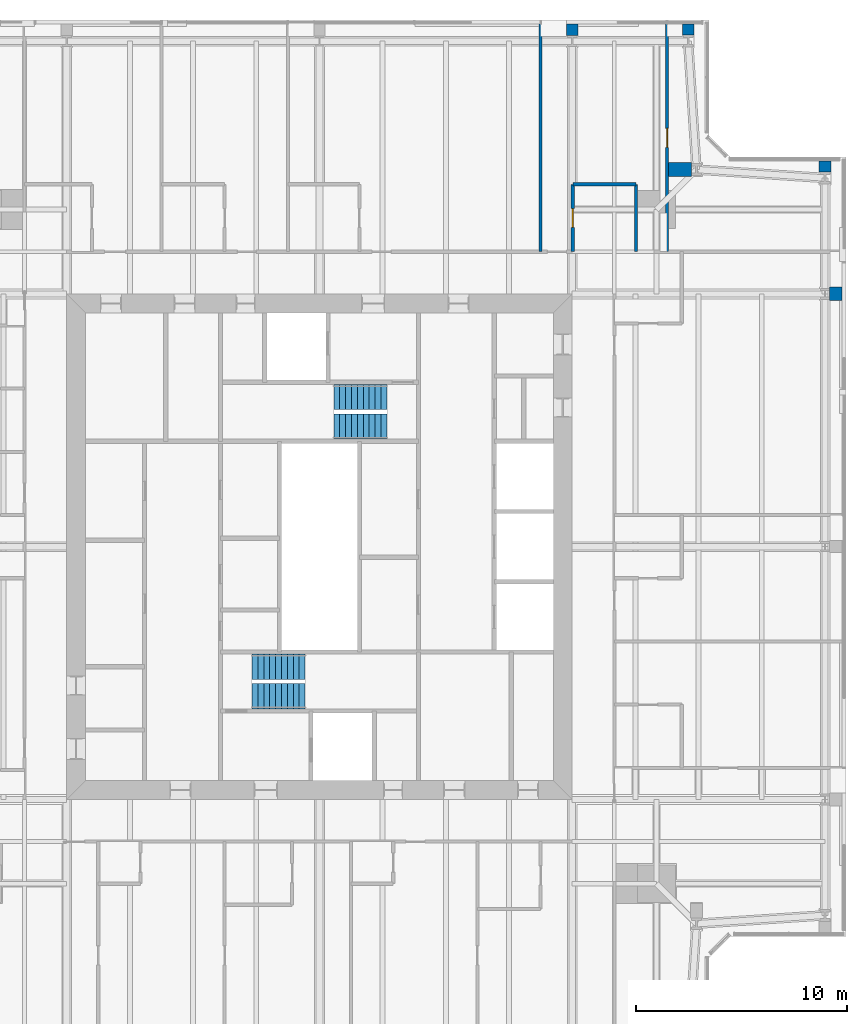
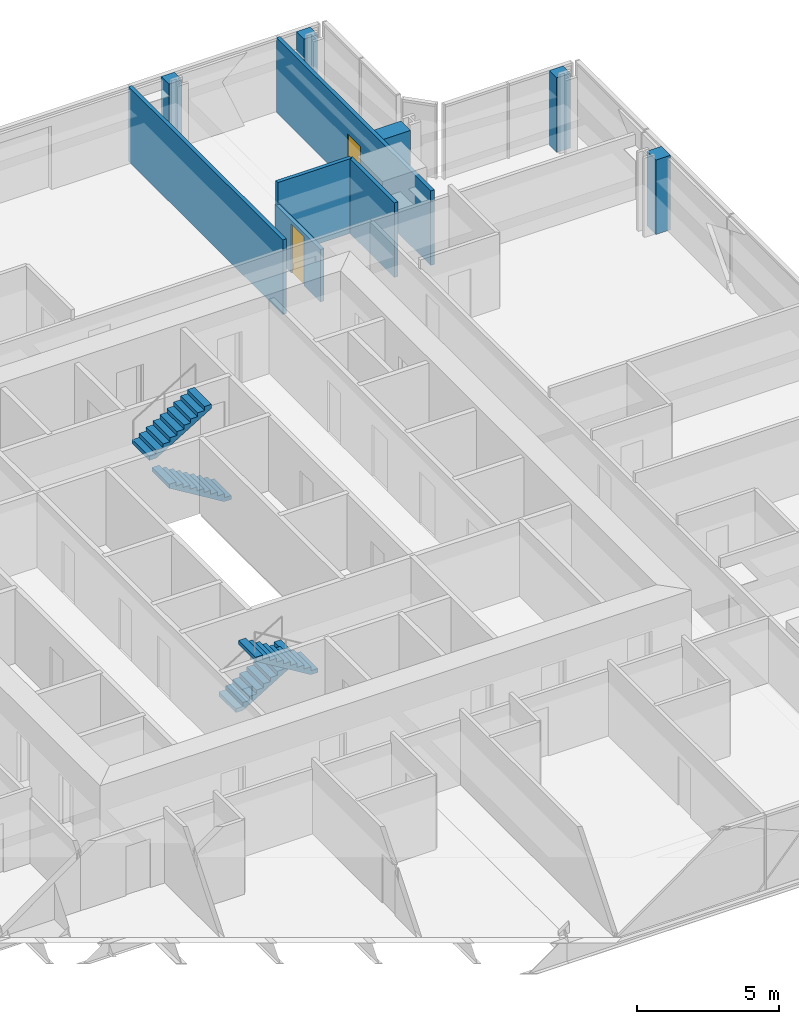
# One storey, part 15 of 18: 10 walls, 4 stair flights, 2 doors, 2 openings, 2 elements without a shape of their own.
"""IFC4 building model written with IfcOpenShell, lengths in metres."""

from ifc_helpers import new_model, si_unit, direction, frame, frame_2d, origin, place, context, subcontext, project, spatial, polyline, rectangle, outline, extrude, material, layer, layer_set, type_object, element, fill, aggregate, save


model = new_model("IFC4")

# Units and contexts
model_context = context("Model", 3, precision=1e-05, world=origin(), true_north=direction((0.0, 1.0)))
body_context = subcontext(model_context, "Body", "Model", "MODEL_VIEW")
ifc_project = project(units=[si_unit("LENGTHUNIT", "METRE"), si_unit("AREAUNIT", "SQUARE_METRE"), si_unit("VOLUMEUNIT", "CUBIC_METRE"), si_unit("PLANEANGLEUNIT", "RADIAN"), si_unit("MASSUNIT", "GRAM", prefix="KILO")], contexts=[model_context])

# Site, building, storey
site_placement = place(None, origin())
site = spatial("IfcSite", under=ifc_project, at=site_placement, CompositionType="ELEMENT")
building_placement = place(site_placement, origin())
building = spatial("IfcBuilding", under=site, at=building_placement, Name="Fenwick Lantern Interchange", CompositionType="ELEMENT")
storey_placement = place(building_placement, frame((0.0, 0.0, 293.39990234375)))
storey = spatial("IfcBuildingStorey", under=building, at=storey_placement, Name="L71", CompositionType="ELEMENT", Elevation=293.39990234375)

# Walls
ifc_material_1 = material(Name="Fire-rated gypsum board encasement on steel studs, 2 hour", Category="steel")
ifc_layer_1 = layer(ifc_material_1, 0.5419921875)
ifc_layer_set_1 = layer_set([ifc_layer_1], Name="COLUMN PIER 542")
wall_type_1 = type_object("IfcWallType", Name="COLUMN PIER 542", PredefinedType="PARTITIONING", material=ifc_layer_set_1)
wall_1_placement = place(storey_placement, frame((37.0, 49.81005859375, 0.0), z_axis=(0.0, 0.0, 1.0), x_axis=(0.0, -1.0, 0.0)))
element("IfcWall", 1, at=wall_1_placement, inside=storey, type_object=wall_type_1, Name="L71/W/PIER/CN2", PredefinedType="PARTITIONING", context=body_context, shape_type="SweptSolid", body=[
    extrude(rectangle(XDim=0.544677734375, YDim=0.5419921875, at=frame_2d((0.2724609375, 0.0))), origin(), (0.0, 0.0, 1.0), 3.2001953125),
])
ifc_layer_2 = layer(ifc_material_1, 0.554931640625)
ifc_layer_set_2 = layer_set([ifc_layer_2], Name="COLUMN PIER 555")
wall_type_2 = type_object("IfcWallType", Name="COLUMN PIER 555", PredefinedType="PARTITIONING", material=ifc_layer_set_2)
for number, where, z_axis, x_axis, name in (
    (2, (49.0, 43.31005859375, 0.0), (0.0, 0.0, 1.0), (0.0, -1.0, 0.0), "L71/W/PIER/CE5"),
    (3, (42.5, 49.81005859375, 0.0), (0.0, 0.0, 1.0), (0.0, -1.0, 0.0), "L71/W/PIER/CN1"),
):
    element("IfcWall", number, at=place(storey_placement, frame(where, z_axis=z_axis, x_axis=x_axis)), inside=storey, type_object=wall_type_2, Name=name, PredefinedType="PARTITIONING", context=body_context, shape_type="SweptSolid", body=[
        extrude(rectangle(XDim=0.525634765625, YDim=0.554931640625, at=frame_2d((0.2626953125, 0.0))), origin(), (0.0, 0.0, 1.0), 3.2001953125),
    ])
ifc_layer_3 = layer(ifc_material_1, 0.631103515625)
ifc_layer_set_3 = layer_set([ifc_layer_3], Name="COLUMN PIER 631")
wall_type_3 = type_object("IfcWallType", Name="COLUMN PIER 631", PredefinedType="PARTITIONING", material=ifc_layer_set_3)
wall_2_placement = place(storey_placement, frame((49.81005859375, 37.0, 0.0), z_axis=(0.0, 0.0, 1.0), x_axis=(-1.0, 0.0, 0.0)))
element("IfcWall", 4, at=wall_2_placement, inside=storey, type_object=wall_type_3, Name="L71/W/PIER/CE4", PredefinedType="PARTITIONING", context=body_context, shape_type="SweptSolid", body=[
    extrude(rectangle(XDim=0.589111328125, YDim=0.631103515625, at=frame_2d((0.29443359375, 0.0))), origin(), (0.0, 0.0, 1.0), 3.2001953125),
])
ifc_layer_4 = layer(ifc_material_1, 0.6689453125)
ifc_layer_set_4 = layer_set([ifc_layer_4], Name="COLUMN PIER 669")
wall_type_4 = type_object("IfcWallType", Name="COLUMN PIER 669", PredefinedType="PARTITIONING", material=ifc_layer_set_4)
wall_3_placement = place(storey_placement, frame((41.574951171875, 42.89990234375, 0.0), z_axis=(0.0, 0.0, 1.0), x_axis=(1.0, 0.0, 0.0)))
element("IfcWall", 5, at=wall_3_placement, inside=storey, type_object=wall_type_4, Name="L71/W/PIER/CER", PredefinedType="PARTITIONING", context=body_context, shape_type="SweptSolid", body=[
    extrude(rectangle(XDim=1.09765625, YDim=0.6689453125, at=frame_2d((0.548828125, 0.0))), origin(), (0.0, 0.0, 1.0), 3.2001953125),
])
ifc_material_2 = material(Name="Gypsum board on steel studs, moisture resistant", Category="steel")
ifc_layer_5 = layer(ifc_material_2, 0.14990234375)
ifc_layer_set_5 = layer_set([ifc_layer_5], Name="EN-SUITE WALL 150")
wall_type_5 = type_object("IfcWallType", Name="EN-SUITE WALL 150", PredefinedType="PARTITIONING", material=ifc_layer_set_5)
wall_4_placement = place(storey_placement, frame((40.02490234375, 42.199951171875, 0.0), z_axis=(0.0, 0.0, 1.0), x_axis=(-1.0, 0.0, 0.0)))
element("IfcWall", 6, at=wall_4_placement, inside=storey, type_object=wall_type_5, Name="L71/W/HOTEL/N/U1BW", PredefinedType="PARTITIONING", context=body_context, shape_type="SweptSolid", body=[
    extrude(rectangle(XDim=3.0, YDim=0.14990234375, at=frame_2d((1.5, 0.0))), origin(), (0.0, 0.0, 1.0), 3.2001953125),
])

# Wall, opening, door
wall_5_placement = place(storey_placement, frame((37.02490234375, 42.199951171875, 0.0), z_axis=(0.0, 0.0, 1.0), x_axis=(0.0, -1.0, 0.0)))
wall_5 = element("IfcWall", 7, at=wall_5_placement, inside=storey, type_object=wall_type_5, Name="L71/W/HOTEL/N/U1BX", PredefinedType="PARTITIONING", context=body_context, shape_type="SweptSolid", body=[
    extrude(rectangle(XDim=3.199951171875, YDim=0.14990234375, at=frame_2d((1.60009765625, 0.0))), origin(), (0.0, 0.0, 1.0), 2.252685546875),
])
opening_1_placement = place(wall_5_placement, frame((1.14990234375, 0.0, 0.0)))
opening_1 = element("IfcOpeningElement", 8, at=opening_1_placement, cuts=wall_5, Name="Opening L71-D041", PredefinedType="OPENING", context=body_context, shape_type="SweptSolid", body=[
    extrude(rectangle(XDim=0.89990234375, YDim=2.10009765625, at=frame_2d((0.449951171875, 1.050048828125))), frame((0.0, 0.0849609375, 0.0), z_axis=(0.0, -1.0, 0.0), x_axis=(1.0, 0.0, 0.0)), (0.0, 0.0, 1.0), 0.169921875),
])
ifc_material_3 = material(Name="Hardwood door and steel frame", Category="steel")
door_type_1 = type_object("IfcDoorType", Name="EN-SUITE DOOR 900 X 2100", OperationType="SINGLE_SWING_LEFT", PredefinedType="DOOR", material=ifc_material_3)
door_1_placement = place(opening_1_placement, origin())
door_1 = element("IfcDoor", 9, at=door_1_placement, inside=storey, type_object=door_type_1, Name="En-suite door", OperationType="SINGLE_SWING_LEFT", OverallHeight=2.10009765625, OverallWidth=0.89990234375, PredefinedType="DOOR", context=body_context, shape_type="SweptSolid", body=[
    extrude(rectangle(XDim=0.89990234375, YDim=2.10009765625, at=frame_2d((0.449951171875, 1.050048828125))), frame((0.0, 0.02490234375, 0.0), z_axis=(0.0, -1.0, 0.0), x_axis=(1.0, 0.0, 0.0)), (0.0, 0.0, 1.0), 0.050048828125),
])
fill(opening_1, door_1)

# Walls
wall_6_placement = place(storey_placement, frame((40.02490234375, 42.199951171875, 0.0), z_axis=(0.0, 0.0, 1.0), x_axis=(0.0, -1.0, 0.0)))
element("IfcWall", 10, at=wall_6_placement, inside=storey, type_object=wall_type_5, Name="L71/W/HOTEL/N/U1BV", PredefinedType="PARTITIONING", context=body_context, shape_type="SweptSolid", body=[
    extrude(rectangle(XDim=3.199951171875, YDim=0.14990234375, at=frame_2d((1.60009765625, 0.0))), origin(), (0.0, 0.0, 1.0), 3.2001953125),
])
ifc_material_4 = material(Name="Gypsum board on steel studs, 1 hour acoustic", Category="steel")
ifc_layer_6 = layer(ifc_material_4, 0.14990234375)
ifc_layer_set_6 = layer_set([ifc_layer_6], Name="PARTY WALL 150")
wall_type_6 = type_object("IfcWallType", Name="PARTY WALL 150", PredefinedType="PARTITIONING", material=ifc_layer_set_6)
wall_7_placement = place(storey_placement, frame((35.5, 49.85009765625, 0.0), z_axis=(0.0, 0.0, 1.0), x_axis=(0.0, -1.0, 0.0)))
element("IfcWall", 11, at=wall_7_placement, inside=storey, type_object=wall_type_6, Name="L71/W/HOTEL/N/U2PW", PredefinedType="PARTITIONING", context=body_context, shape_type="SweptSolid", body=[
    extrude(rectangle(XDim=10.85009765625, YDim=0.14990234375, at=frame_2d((5.425048828125, 0.0))), origin(), (0.0, 0.0, 1.0), 3.2001953125),
])

# Wall, opening, door
ifc_material_5 = material(Name="Gypsum board on steel studs, acoustic", Category="steel")
ifc_layer_7 = layer(ifc_material_5, 0.14990234375)
ifc_layer_set_7 = layer_set([ifc_layer_7], Name="SUITE PARTITION 150")
wall_type_7 = type_object("IfcWallType", Name="SUITE PARTITION 150", PredefinedType="PARTITIONING", material=ifc_layer_set_7)
wall_8_placement = place(storey_placement, frame((41.5, 49.85009765625, 0.0), z_axis=(0.0, 0.0, 1.0), x_axis=(0.0, -1.0, 0.0)))
wall_8 = element("IfcWall", 12, at=wall_8_placement, inside=storey, type_object=wall_type_7, Name="L71/W/HOTEL/N/U1P", PredefinedType="PARTITIONING", context=body_context, shape_type="SweptSolid", body=[
    extrude(rectangle(XDim=10.85009765625, YDim=0.14990234375, at=frame_2d((5.425048828125, 0.0))), origin(), (0.0, 0.0, 1.0), 3.2001953125),
])
opening_2_placement = place(wall_8_placement, frame((5.0, 0.0, 0.0)))
opening_2 = element("IfcOpeningElement", 13, at=opening_2_placement, cuts=wall_8, Name="Opening L71-D042", PredefinedType="OPENING", context=body_context, shape_type="SweptSolid", body=[
    extrude(rectangle(XDim=0.89990234375, YDim=2.10009765625, at=frame_2d((0.449951171875, 1.050048828125))), frame((0.0, 0.0849609375, 0.0), z_axis=(0.0, -1.0, 0.0), x_axis=(1.0, 0.0, 0.0)), (0.0, 0.0, 1.0), 0.169921875),
])
door_type_2 = type_object("IfcDoorType", Name="SUITE INTERNAL DOOR 900 X 2100", OperationType="SINGLE_SWING_LEFT", PredefinedType="DOOR", material=ifc_material_3)
door_2_placement = place(opening_2_placement, origin())
door_2 = element("IfcDoor", 14, at=door_2_placement, inside=storey, type_object=door_type_2, Name="Suite internal door", OperationType="SINGLE_SWING_RIGHT", OverallHeight=2.10009765625, OverallWidth=0.89990234375, PredefinedType="DOOR", context=body_context, shape_type="SweptSolid", body=[
    extrude(rectangle(XDim=0.89990234375, YDim=2.10009765625, at=frame_2d((0.449951171875, 1.050048828125))), frame((0.0, 0.02490234375, 0.0), z_axis=(0.0, -1.0, 0.0), x_axis=(1.0, 0.0, 0.0)), (0.0, 0.0, 1.0), 0.050048828125),
])
fill(opening_2, door_2)

# Stair, stair flights
ifc_material_6 = material(Name="Precast concrete f'c 35 MPa", Category="concrete")
stair_type = type_object("IfcStairType", Name="EXIT STAIR 1200", PredefinedType="HALF_TURN_STAIR", material=ifc_material_6)
stair_1_placement = place(storey_placement, origin())
stair_1 = element("IfcStair", 15, at=stair_1_placement, inside=storey, type_object=stair_type, Name="Exit stair ST1", PredefinedType="HALF_TURN_STAIR")
stair_flight_type = type_object("IfcStairFlightType", Name="STAIR FLIGHT 1200", PredefinedType="STRAIGHT", material=ifc_material_6)
stair_flight_1_placement = place(storey_placement, frame((21.800048828125, 19.300048828125, 0.0), z_axis=(0.0, 0.0, 1.0), x_axis=(1.0, 0.0, 0.0)))
stair_flight_1 = element("IfcStairFlight", 16, at=stair_flight_1_placement, type_object=stair_flight_type, Name="ST1 flight 1", NumberOfRisers=10, NumberOfTreads=9, PredefinedType="STRAIGHT", RiserHeight=0.17, TreadLength=0.28, context=body_context, shape_type="SweptSolid", body=[
    extrude(outline(polyline([(0.0, 0.0), (0.0, 0.169921875), (0.280029296875, 0.169921875), (0.280029296875, 0.340087890625), (0.56005859375, 0.340087890625), (0.56005859375, 0.510009765625), (0.840087890625, 0.510009765625), (0.840087890625, 0.679931640625), (1.1201171875, 0.679931640625), (1.1201171875, 0.85009765625), (1.39990234375, 0.85009765625), (1.39990234375, 1.02001953125), (1.679931640625, 1.02001953125), (1.679931640625, 1.18994140625), (1.9599609375, 1.18994140625), (1.9599609375, 1.360107421875), (2.239990234375, 1.360107421875), (2.239990234375, 1.530029296875), (2.52001953125, 1.530029296875), (2.52001953125, 1.699951171875), (2.52001953125, 1.354736328125), (0.288818359375, 0.0), (0.0, 0.0)])), frame((0.0, 0.60009765625, 0.0), z_axis=(0.0, -1.0, 0.0), x_axis=(1.0, 0.0, 0.0)), (0.0, 0.0, 1.0), 1.199951171875),
])
stair_flight_2_placement = place(storey_placement, frame((24.320068359375, 17.89990234375, 1.7001953125), z_axis=(0.0, 0.0, 1.0), x_axis=(-1.0, 0.0, 0.0)))
stair_flight_2 = element("IfcStairFlight", 17, at=stair_flight_2_placement, type_object=stair_flight_type, Name="ST1 flight 2", NumberOfRisers=10, NumberOfTreads=9, PredefinedType="STRAIGHT", RiserHeight=0.17, TreadLength=0.28, context=body_context, shape_type="SweptSolid", body=[
    extrude(outline(polyline([(0.0, 0.0), (0.0, 0.169921875), (0.280029296875, 0.169921875), (0.280029296875, 0.340087890625), (0.56005859375, 0.340087890625), (0.56005859375, 0.510009765625), (0.840087890625, 0.510009765625), (0.840087890625, 0.679931640625), (1.1201171875, 0.679931640625), (1.1201171875, 0.85009765625), (1.39990234375, 0.85009765625), (1.39990234375, 1.02001953125), (1.679931640625, 1.02001953125), (1.679931640625, 1.18994140625), (1.9599609375, 1.18994140625), (1.9599609375, 1.360107421875), (2.239990234375, 1.360107421875), (2.239990234375, 1.530029296875), (2.52001953125, 1.530029296875), (2.52001953125, 1.699951171875), (2.52001953125, 1.354736328125), (0.288818359375, 0.0), (0.0, 0.0)])), frame((0.0, 0.60009765625, 0.0), z_axis=(0.0, -1.0, 0.0), x_axis=(1.0, 0.0, 0.0)), (0.0, 0.0, 1.0), 1.199951171875),
])
aggregate(stair_1, [stair_flight_1, stair_flight_2])

stair_2_placement = place(storey_placement, origin())
stair_2 = element("IfcStair", 18, at=stair_2_placement, inside=storey, type_object=stair_type, Name="Exit stair ST2", PredefinedType="HALF_TURN_STAIR")
stair_flight_3_placement = place(storey_placement, frame((28.199951171875, 30.699951171875, 0.0), z_axis=(0.0, 0.0, 1.0), x_axis=(-1.0, 0.0, 0.0)))
stair_flight_3 = element("IfcStairFlight", 19, at=stair_flight_3_placement, type_object=stair_flight_type, Name="ST2 flight 1", NumberOfRisers=10, NumberOfTreads=9, PredefinedType="STRAIGHT", RiserHeight=0.17, TreadLength=0.28, context=body_context, shape_type="SweptSolid", body=[
    extrude(outline(polyline([(0.0, 0.0), (0.0, 0.169921875), (0.280029296875, 0.169921875), (0.280029296875, 0.340087890625), (0.56005859375, 0.340087890625), (0.56005859375, 0.510009765625), (0.840087890625, 0.510009765625), (0.840087890625, 0.679931640625), (1.1201171875, 0.679931640625), (1.1201171875, 0.85009765625), (1.39990234375, 0.85009765625), (1.39990234375, 1.02001953125), (1.679931640625, 1.02001953125), (1.679931640625, 1.18994140625), (1.9599609375, 1.18994140625), (1.9599609375, 1.360107421875), (2.239990234375, 1.360107421875), (2.239990234375, 1.530029296875), (2.52001953125, 1.530029296875), (2.52001953125, 1.699951171875), (2.52001953125, 1.354736328125), (0.288818359375, 0.0), (0.0, 0.0)])), frame((0.0, 0.60009765625, 0.0), z_axis=(0.0, -1.0, 0.0), x_axis=(1.0, 0.0, 0.0)), (0.0, 0.0, 1.0), 1.199951171875),
])
stair_flight_4_placement = place(storey_placement, frame((25.679931640625, 32.10009765625, 1.7001953125), z_axis=(0.0, 0.0, 1.0), x_axis=(1.0, 0.0, 0.0)))
stair_flight_4 = element("IfcStairFlight", 20, at=stair_flight_4_placement, type_object=stair_flight_type, Name="ST2 flight 2", NumberOfRisers=10, NumberOfTreads=9, PredefinedType="STRAIGHT", RiserHeight=0.17, TreadLength=0.28, context=body_context, shape_type="SweptSolid", body=[
    extrude(outline(polyline([(0.0, 0.0), (0.0, 0.169921875), (0.280029296875, 0.169921875), (0.280029296875, 0.340087890625), (0.56005859375, 0.340087890625), (0.56005859375, 0.510009765625), (0.840087890625, 0.510009765625), (0.840087890625, 0.679931640625), (1.1201171875, 0.679931640625), (1.1201171875, 0.85009765625), (1.39990234375, 0.85009765625), (1.39990234375, 1.02001953125), (1.679931640625, 1.02001953125), (1.679931640625, 1.18994140625), (1.9599609375, 1.18994140625), (1.9599609375, 1.360107421875), (2.239990234375, 1.360107421875), (2.239990234375, 1.530029296875), (2.52001953125, 1.530029296875), (2.52001953125, 1.699951171875), (2.52001953125, 1.354736328125), (0.288818359375, 0.0), (0.0, 0.0)])), frame((0.0, 0.60009765625, 0.0), z_axis=(0.0, -1.0, 0.0), x_axis=(1.0, 0.0, 0.0)), (0.0, 0.0, 1.0), 1.199951171875),
])
aggregate(stair_2, [stair_flight_3, stair_flight_4])

save(model, "model.ifc")
